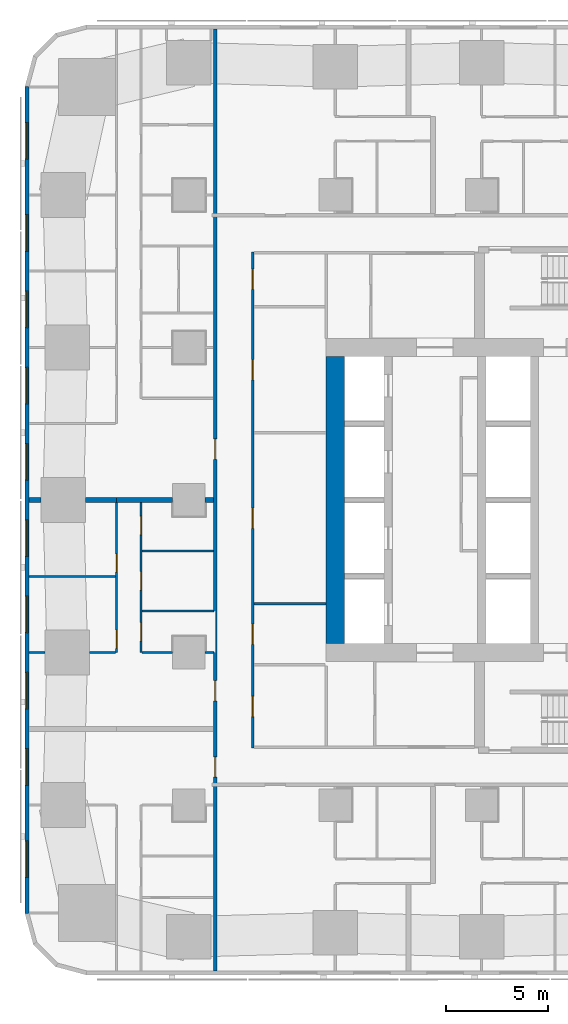
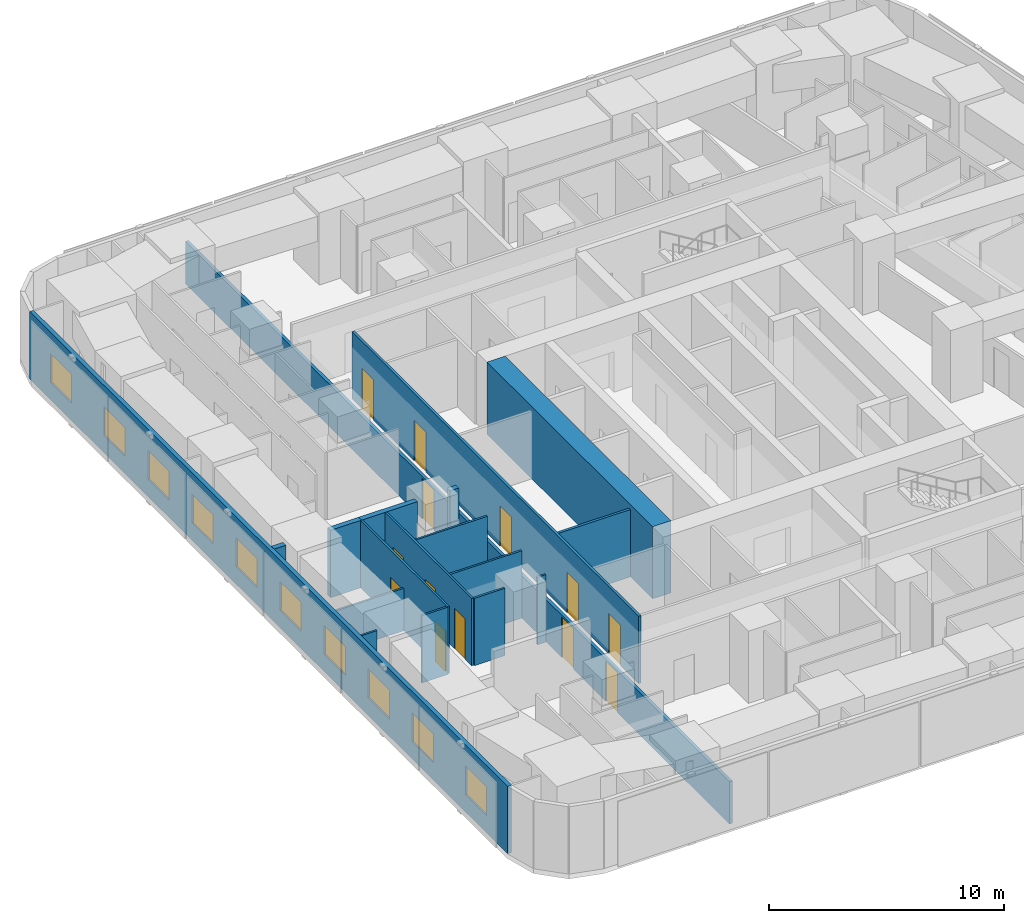
# One storey, part 5 of 17: 18 walls, 13 doors, 10 windows, 23 openings.
"""IFC4 building model written with IfcOpenShell, lengths in metres."""

from ifc_helpers import new_model, si_unit, direction, frame, frame_2d, origin, place, context, subcontext, project, spatial, rectangle, extrude, material, layer, layer_set, type_object, element, fill, save


model = new_model("IFC4")

# Units and contexts
model_context = context("Model", 3, precision=1e-05, world=origin(), true_north=direction((0.0, 1.0)))
body_context = subcontext(model_context, "Body", "Model", "MODEL_VIEW")
ifc_project = project(units=[si_unit("LENGTHUNIT", "METRE"), si_unit("AREAUNIT", "SQUARE_METRE"), si_unit("VOLUMEUNIT", "CUBIC_METRE"), si_unit("PLANEANGLEUNIT", "RADIAN"), si_unit("MASSUNIT", "GRAM", prefix="KILO")], contexts=[model_context])

# Site, building, storey
site_placement = place(None, origin())
site = spatial("IfcSite", under=ifc_project, at=site_placement, CompositionType="ELEMENT")
building_placement = place(site_placement, origin())
building = spatial("IfcBuilding", under=site, at=building_placement, Name="Sheger Commons Tower", CompositionType="ELEMENT")
storey_placement = place(building_placement, frame((0.0, 0.0, 119.14990234375)))
storey = spatial("IfcBuildingStorey", under=building, at=storey_placement, Name="L30", CompositionType="ELEMENT", Elevation=119.14990234375)

# Wall
ifc_material_1 = material(Name="Concrete C50/60", Category="concrete")
ifc_layer_1 = layer(ifc_material_1, 0.89990234375)
ifc_layer_set_1 = layer_set([ifc_layer_1], Name="CORE WALL 900")
wall_type_1 = type_object("IfcWallType", Name="CORE WALL 900", PredefinedType="SHEAR", material=ifc_layer_set_1)
wall_1_placement = place(storey_placement, frame((14.39990234375, 15.449951171875, 0.0), z_axis=(0.0, 0.0, 1.0), x_axis=(0.0, 1.0, 0.0)))
element("IfcWall", 1, at=wall_1_placement, inside=storey, type_object=wall_type_1, Name="Core wall west L30", PredefinedType="SHEAR", context=body_context, shape_type="SweptSolid", body=[
    extrude(rectangle(XDim=14.10009765625, YDim=0.89990234375, at=frame_2d((7.050048828125, 0.0))), origin(), (0.0, 0.0, 1.0), 3.75),
])

# Wall, openings, doors
ifc_material_2 = material(Name="Hollow concrete block masonry, skimmed both sides", Category="masonry")
ifc_layer_2 = layer(ifc_material_2, 0.14990234375)
ifc_layer_set_2 = layer_set([ifc_layer_2], Name="CORRIDOR WALL 150")
wall_type_2 = type_object("IfcWallType", Name="CORRIDOR WALL 150", PredefinedType="SOLIDWALL", material=ifc_layer_set_2)
wall_2_placement = place(storey_placement, frame((8.5, -0.64990234375, 0.0), z_axis=(0.0, 0.0, 1.0), x_axis=(0.0, 1.0, 0.0)))
wall_2 = element("IfcWall", 2, at=wall_2_placement, inside=storey, type_object=wall_type_2, Name="Corridor wall L30", PredefinedType="SOLIDWALL", context=body_context, shape_type="SweptSolid", body=[
    extrude(rectangle(XDim=46.2998046875, YDim=0.14990234375, at=frame_2d((23.14990234375, 0.0))), origin(), (0.0, 0.0, 1.0), 2.2001953125),
])
opening_1_placement = place(wall_2_placement, frame((9.52490234375, 0.0, 0.0)))
opening_1 = element("IfcOpeningElement", 3, at=opening_1_placement, cuts=wall_2, Name="Opening D1", PredefinedType="OPENING", context=body_context, shape_type="SweptSolid", body=[
    extrude(rectangle(XDim=1.0, YDim=2.10009765625, at=frame_2d((0.5, 1.050048828125))), frame((0.0, 0.0849609375, 0.0), z_axis=(0.0, -1.0, 0.0), x_axis=(1.0, 0.0, 0.0)), (0.0, 0.0, 1.0), 0.169921875),
])
opening_2_placement = place(wall_2_placement, frame((13.27490234375, 0.0, 0.0)))
opening_2 = element("IfcOpeningElement", 4, at=opening_2_placement, cuts=wall_2, Name="Opening D1", PredefinedType="OPENING", context=body_context, shape_type="SweptSolid", body=[
    extrude(rectangle(XDim=1.0, YDim=2.10009765625, at=frame_2d((0.5, 1.050048828125))), frame((0.0, 0.0849609375, 0.0), z_axis=(0.0, -1.0, 0.0), x_axis=(1.0, 0.0, 0.0)), (0.0, 0.0, 1.0), 0.169921875),
])
opening_3_placement = place(wall_2_placement, frame((25.14990234375, 0.0, 0.0)))
opening_3 = element("IfcOpeningElement", 5, at=opening_3_placement, cuts=wall_2, Name="Opening D1", PredefinedType="OPENING", context=body_context, shape_type="SweptSolid", body=[
    extrude(rectangle(XDim=1.0, YDim=2.10009765625, at=frame_2d((0.5, 1.050048828125))), frame((0.0, 0.0849609375, 0.0), z_axis=(0.0, -1.0, 0.0), x_axis=(1.0, 0.0, 0.0)), (0.0, 0.0, 1.0), 0.169921875),
])
ifc_material_3 = material(Name="Steel door set, fire rated", Category="steel")
door_type_1 = type_object("IfcDoorType", Name="FLAT ENTRANCE DOOR 1000x2100", OperationType="NOTDEFINED", PredefinedType="DOOR", material=ifc_material_3)
door_1_placement = place(opening_1_placement, origin())
door_1 = element("IfcDoor", 6, at=door_1_placement, inside=storey, type_object=door_type_1, Name="Flat entrance door", OperationType="SINGLE_SWING_RIGHT", OverallHeight=2.10009765625, OverallWidth=1.0, PredefinedType="DOOR", context=body_context, shape_type="SweptSolid", body=[
    extrude(rectangle(XDim=1.0, YDim=2.10009765625, at=frame_2d((0.5, 1.050048828125))), frame((0.0, 0.02490234375, 0.0), z_axis=(0.0, -1.0, 0.0), x_axis=(1.0, 0.0, 0.0)), (0.0, 0.0, 1.0), 0.050048828125),
])
fill(opening_1, door_1)
door_2_placement = place(opening_2_placement, origin())
door_2 = element("IfcDoor", 7, at=door_2_placement, inside=storey, type_object=door_type_1, Name="Flat entrance door", OperationType="SINGLE_SWING_LEFT", OverallHeight=2.10009765625, OverallWidth=1.0, PredefinedType="DOOR", context=body_context, shape_type="SweptSolid", body=[
    extrude(rectangle(XDim=1.0, YDim=2.10009765625, at=frame_2d((0.5, 1.050048828125))), frame((0.0, 0.02490234375, 0.0), z_axis=(0.0, -1.0, 0.0), x_axis=(1.0, 0.0, 0.0)), (0.0, 0.0, 1.0), 0.050048828125),
])
fill(opening_2, door_2)
door_3_placement = place(opening_3_placement, origin())
door_3 = element("IfcDoor", 8, at=door_3_placement, inside=storey, type_object=door_type_1, Name="Flat entrance door", OperationType="SINGLE_SWING_LEFT", OverallHeight=2.10009765625, OverallWidth=1.0, PredefinedType="DOOR", context=body_context, shape_type="SweptSolid", body=[
    extrude(rectangle(XDim=1.0, YDim=2.10009765625, at=frame_2d((0.5, 1.050048828125))), frame((0.0, 0.02490234375, 0.0), z_axis=(0.0, -1.0, 0.0), x_axis=(1.0, 0.0, 0.0)), (0.0, 0.0, 1.0), 0.050048828125),
])
fill(opening_3, door_3)

# Walls
ifc_material_4 = material(Name="Dense concrete block masonry, plastered both sides (separating wall between flats)", Category="masonry")
ifc_layer_3 = layer(ifc_material_4, 0.25)
ifc_layer_set_3 = layer_set([ifc_layer_3], Name="DEMISING WALL 250")
wall_type_3 = type_object("IfcWallType", Name="DEMISING WALL 250", PredefinedType="SOLIDWALL", material=ifc_layer_set_3)
wall_3_placement = place(storey_placement, frame((-0.64990234375, 22.5, 0.0), z_axis=(0.0, 0.0, 1.0), x_axis=(1.0, 0.0, 0.0)))
element("IfcWall", 9, at=wall_3_placement, inside=storey, type_object=wall_type_3, Name="Demising wall L30", PredefinedType="SOLIDWALL", context=body_context, shape_type="SweptSolid", body=[
    extrude(rectangle(XDim=0.573974609375, YDim=0.25, at=frame_2d((0.287109375, 0.0))), origin(), (0.0, 0.0, 1.0), 3.5),
])
wall_4_placement = place(storey_placement, frame((2.1259765625, 22.5, 0.0), z_axis=(0.0, 0.0, 1.0), x_axis=(1.0, 0.0, 0.0)))
element("IfcWall", 10, at=wall_4_placement, inside=storey, type_object=wall_type_3, Name="Demising wall L30", PredefinedType="SOLIDWALL", context=body_context, shape_type="SweptSolid", body=[
    extrude(rectangle(XDim=1.52392578125, YDim=0.25, at=frame_2d((0.761962890625, 0.0))), origin(), (0.0, 0.0, 1.0), 3.5),
])
wall_5_placement = place(storey_placement, frame((3.64990234375, 22.5, 0.0), z_axis=(0.0, 0.0, 1.0), x_axis=(1.0, 0.0, 0.0)))
element("IfcWall", 11, at=wall_5_placement, inside=storey, type_object=wall_type_3, Name="Demising wall L30", PredefinedType="SOLIDWALL", context=body_context, shape_type="SweptSolid", body=[
    extrude(rectangle(XDim=2.7490234375, YDim=0.25, at=frame_2d((1.37451171875, 0.0))), origin(), (0.0, 0.0, 1.0), 3.5),
])
wall_6_placement = place(storey_placement, frame((8.0009765625, 22.5, 0.0), z_axis=(0.0, 0.0, 1.0), x_axis=(1.0, 0.0, 0.0)))
element("IfcWall", 12, at=wall_6_placement, inside=storey, type_object=wall_type_3, Name="Demising wall L30", PredefinedType="SOLIDWALL", context=body_context, shape_type="SweptSolid", body=[
    extrude(rectangle(XDim=0.424072265625, YDim=0.25, at=frame_2d((0.2119140625, 0.0))), origin(), (0.0, 0.0, 1.0), 3.5),
])

# Wall, openings, windows
ifc_material_5 = material(Name="Rendered concrete block masonry, dark grey", Category="masonry")
ifc_layer_4 = layer(ifc_material_5, 0.199951171875)
ifc_layer_set_4 = layer_set([ifc_layer_4], Name="FACADE WALL 200")
wall_type_4 = type_object("IfcWallType", Name="FACADE WALL 200", PredefinedType="SOLIDWALL", material=ifc_layer_set_4)
wall_7_placement = place(storey_placement, frame((-0.75, 42.8369140625, 0.0), z_axis=(0.0, 0.0, 1.0), x_axis=(0.0, -1.0, 0.0)))
wall_7 = element("IfcWall", 13, at=wall_7_placement, inside=storey, type_object=wall_type_4, Name="Facade wall L30", PredefinedType="SOLIDWALL", context=body_context, shape_type="SweptSolid", body=[
    extrude(rectangle(XDim=40.673828125, YDim=0.199951171875, at=frame_2d((20.3369140625, 0.0))), origin(), (0.0, 0.0, 1.0), 3.5),
])
opening_4_placement = place(wall_7_placement, frame((1.780029296875, 0.0, 0.89990234375)))
opening_4 = element("IfcOpeningElement", 14, at=opening_4_placement, cuts=wall_7, Name="Opening W2", PredefinedType="OPENING", context=body_context, shape_type="SweptSolid", body=[
    extrude(rectangle(XDim=1.800048828125, YDim=1.5, at=frame_2d((0.89990234375, 0.75))), frame((0.0, 0.10986328125, 0.0), z_axis=(0.0, -1.0, 0.0), x_axis=(1.0, 0.0, 0.0)), (0.0, 0.0, 1.0), 0.219970703125),
])
opening_5_placement = place(wall_7_placement, frame((6.31201171875, 0.0, 0.89990234375)))
opening_5 = element("IfcOpeningElement", 15, at=opening_5_placement, cuts=wall_7, Name="Opening W2", PredefinedType="OPENING", context=body_context, shape_type="SweptSolid", body=[
    extrude(rectangle(XDim=1.800048828125, YDim=1.5, at=frame_2d((0.89990234375, 0.75))), frame((0.0, 0.10986328125, 0.0), z_axis=(0.0, -1.0, 0.0), x_axis=(1.0, 0.0, 0.0)), (0.0, 0.0, 1.0), 0.219970703125),
])
opening_6_placement = place(wall_7_placement, frame((10.06201171875, 0.0, 0.89990234375)))
opening_6 = element("IfcOpeningElement", 16, at=opening_6_placement, cuts=wall_7, Name="Opening W2", PredefinedType="OPENING", context=body_context, shape_type="SweptSolid", body=[
    extrude(rectangle(XDim=1.800048828125, YDim=1.5, at=frame_2d((0.89990234375, 0.75))), frame((0.0, 0.10986328125, 0.0), z_axis=(0.0, -1.0, 0.0), x_axis=(1.0, 0.0, 0.0)), (0.0, 0.0, 1.0), 0.219970703125),
])
opening_7_placement = place(wall_7_placement, frame((13.81201171875, 0.0, 0.89990234375)))
opening_7 = element("IfcOpeningElement", 17, at=opening_7_placement, cuts=wall_7, Name="Opening W2", PredefinedType="OPENING", context=body_context, shape_type="SweptSolid", body=[
    extrude(rectangle(XDim=1.800048828125, YDim=1.5, at=frame_2d((0.89990234375, 0.75))), frame((0.0, 0.10986328125, 0.0), z_axis=(0.0, -1.0, 0.0), x_axis=(1.0, 0.0, 0.0)), (0.0, 0.0, 1.0), 0.219970703125),
])
opening_8_placement = place(wall_7_placement, frame((17.56201171875, 0.0, 0.89990234375)))
opening_8 = element("IfcOpeningElement", 18, at=opening_8_placement, cuts=wall_7, Name="Opening W2", PredefinedType="OPENING", context=body_context, shape_type="SweptSolid", body=[
    extrude(rectangle(XDim=1.800048828125, YDim=1.5, at=frame_2d((0.89990234375, 0.75))), frame((0.0, 0.10986328125, 0.0), z_axis=(0.0, -1.0, 0.0), x_axis=(1.0, 0.0, 0.0)), (0.0, 0.0, 1.0), 0.219970703125),
])
opening_9_placement = place(wall_7_placement, frame((21.31201171875, 0.0, 0.89990234375)))
opening_9 = element("IfcOpeningElement", 19, at=opening_9_placement, cuts=wall_7, Name="Opening W2", PredefinedType="OPENING", context=body_context, shape_type="SweptSolid", body=[
    extrude(rectangle(XDim=1.800048828125, YDim=1.5, at=frame_2d((0.89990234375, 0.75))), frame((0.0, 0.10986328125, 0.0), z_axis=(0.0, -1.0, 0.0), x_axis=(1.0, 0.0, 0.0)), (0.0, 0.0, 1.0), 0.219970703125),
])
opening_10_placement = place(wall_7_placement, frame((25.06201171875, 0.0, 0.89990234375)))
opening_10 = element("IfcOpeningElement", 20, at=opening_10_placement, cuts=wall_7, Name="Opening W2", PredefinedType="OPENING", context=body_context, shape_type="SweptSolid", body=[
    extrude(rectangle(XDim=1.800048828125, YDim=1.5, at=frame_2d((0.89990234375, 0.75))), frame((0.0, 0.10986328125, 0.0), z_axis=(0.0, -1.0, 0.0), x_axis=(1.0, 0.0, 0.0)), (0.0, 0.0, 1.0), 0.219970703125),
])
opening_11_placement = place(wall_7_placement, frame((28.81201171875, 0.0, 0.89990234375)))
opening_11 = element("IfcOpeningElement", 21, at=opening_11_placement, cuts=wall_7, Name="Opening W2", PredefinedType="OPENING", context=body_context, shape_type="SweptSolid", body=[
    extrude(rectangle(XDim=1.800048828125, YDim=1.5, at=frame_2d((0.89990234375, 0.75))), frame((0.0, 0.10986328125, 0.0), z_axis=(0.0, -1.0, 0.0), x_axis=(1.0, 0.0, 0.0)), (0.0, 0.0, 1.0), 0.219970703125),
])
opening_12_placement = place(wall_7_placement, frame((32.56201171875, 0.0, 0.89990234375)))
opening_12 = element("IfcOpeningElement", 22, at=opening_12_placement, cuts=wall_7, Name="Opening W2", PredefinedType="OPENING", context=body_context, shape_type="SweptSolid", body=[
    extrude(rectangle(XDim=1.800048828125, YDim=1.5, at=frame_2d((0.89990234375, 0.75))), frame((0.0, 0.10986328125, 0.0), z_axis=(0.0, -1.0, 0.0), x_axis=(1.0, 0.0, 0.0)), (0.0, 0.0, 1.0), 0.219970703125),
])
opening_13_placement = place(wall_7_placement, frame((37.093994140625, 0.0, 0.89990234375)))
opening_13 = element("IfcOpeningElement", 23, at=opening_13_placement, cuts=wall_7, Name="Opening W2", PredefinedType="OPENING", context=body_context, shape_type="SweptSolid", body=[
    extrude(rectangle(XDim=1.800048828125, YDim=1.5, at=frame_2d((0.89990234375, 0.75))), frame((0.0, 0.10986328125, 0.0), z_axis=(0.0, -1.0, 0.0), x_axis=(1.0, 0.0, 0.0)), (0.0, 0.0, 1.0), 0.219970703125),
])
ifc_material_6 = material(Name="Black aluminium frame, dark tinted double glazing", Category="aluminium")
window_type = type_object("IfcWindowType", Name="WINDOW W2 1800x1500", PartitioningType="SINGLE_PANEL", PredefinedType="WINDOW", material=ifc_material_6)
window_1_placement = place(opening_4_placement, origin())
window_1 = element("IfcWindow", 24, at=window_1_placement, inside=storey, type_object=window_type, Name="Window W2 1800X1500", OverallHeight=1.5, OverallWidth=1.800048828125, PartitioningType="SINGLE_PANEL", PredefinedType="WINDOW", context=body_context, shape_type="SweptSolid", body=[
    extrude(rectangle(XDim=1.800048828125, YDim=1.5, at=frame_2d((0.89990234375, 0.75))), frame((0.0, 0.030029296875, 0.0), z_axis=(0.0, -1.0, 0.0), x_axis=(1.0, 0.0, 0.0)), (0.0, 0.0, 1.0), 0.06005859375),
])
fill(opening_4, window_1)
window_2_placement = place(opening_5_placement, origin())
window_2 = element("IfcWindow", 25, at=window_2_placement, inside=storey, type_object=window_type, Name="Window W2 1800X1500", OverallHeight=1.5, OverallWidth=1.800048828125, PartitioningType="SINGLE_PANEL", PredefinedType="WINDOW", context=body_context, shape_type="SweptSolid", body=[
    extrude(rectangle(XDim=1.800048828125, YDim=1.5, at=frame_2d((0.89990234375, 0.75))), frame((0.0, 0.030029296875, 0.0), z_axis=(0.0, -1.0, 0.0), x_axis=(1.0, 0.0, 0.0)), (0.0, 0.0, 1.0), 0.06005859375),
])
fill(opening_5, window_2)
window_3_placement = place(opening_6_placement, origin())
window_3 = element("IfcWindow", 26, at=window_3_placement, inside=storey, type_object=window_type, Name="Window W2 1800X1500", OverallHeight=1.5, OverallWidth=1.800048828125, PartitioningType="SINGLE_PANEL", PredefinedType="WINDOW", context=body_context, shape_type="SweptSolid", body=[
    extrude(rectangle(XDim=1.800048828125, YDim=1.5, at=frame_2d((0.89990234375, 0.75))), frame((0.0, 0.030029296875, 0.0), z_axis=(0.0, -1.0, 0.0), x_axis=(1.0, 0.0, 0.0)), (0.0, 0.0, 1.0), 0.06005859375),
])
fill(opening_6, window_3)
window_4_placement = place(opening_7_placement, origin())
window_4 = element("IfcWindow", 27, at=window_4_placement, inside=storey, type_object=window_type, Name="Window W2 1800X1500", OverallHeight=1.5, OverallWidth=1.800048828125, PartitioningType="SINGLE_PANEL", PredefinedType="WINDOW", context=body_context, shape_type="SweptSolid", body=[
    extrude(rectangle(XDim=1.800048828125, YDim=1.5, at=frame_2d((0.89990234375, 0.75))), frame((0.0, 0.030029296875, 0.0), z_axis=(0.0, -1.0, 0.0), x_axis=(1.0, 0.0, 0.0)), (0.0, 0.0, 1.0), 0.06005859375),
])
fill(opening_7, window_4)
window_5_placement = place(opening_8_placement, origin())
window_5 = element("IfcWindow", 28, at=window_5_placement, inside=storey, type_object=window_type, Name="Window W2 1800X1500", OverallHeight=1.5, OverallWidth=1.800048828125, PartitioningType="SINGLE_PANEL", PredefinedType="WINDOW", context=body_context, shape_type="SweptSolid", body=[
    extrude(rectangle(XDim=1.800048828125, YDim=1.5, at=frame_2d((0.89990234375, 0.75))), frame((0.0, 0.030029296875, 0.0), z_axis=(0.0, -1.0, 0.0), x_axis=(1.0, 0.0, 0.0)), (0.0, 0.0, 1.0), 0.06005859375),
])
fill(opening_8, window_5)
window_6_placement = place(opening_9_placement, origin())
window_6 = element("IfcWindow", 29, at=window_6_placement, inside=storey, type_object=window_type, Name="Window W2 1800X1500", OverallHeight=1.5, OverallWidth=1.800048828125, PartitioningType="SINGLE_PANEL", PredefinedType="WINDOW", context=body_context, shape_type="SweptSolid", body=[
    extrude(rectangle(XDim=1.800048828125, YDim=1.5, at=frame_2d((0.89990234375, 0.75))), frame((0.0, 0.030029296875, 0.0), z_axis=(0.0, -1.0, 0.0), x_axis=(1.0, 0.0, 0.0)), (0.0, 0.0, 1.0), 0.06005859375),
])
fill(opening_9, window_6)
window_7_placement = place(opening_10_placement, origin())
window_7 = element("IfcWindow", 30, at=window_7_placement, inside=storey, type_object=window_type, Name="Window W2 1800X1500", OverallHeight=1.5, OverallWidth=1.800048828125, PartitioningType="SINGLE_PANEL", PredefinedType="WINDOW", context=body_context, shape_type="SweptSolid", body=[
    extrude(rectangle(XDim=1.800048828125, YDim=1.5, at=frame_2d((0.89990234375, 0.75))), frame((0.0, 0.030029296875, 0.0), z_axis=(0.0, -1.0, 0.0), x_axis=(1.0, 0.0, 0.0)), (0.0, 0.0, 1.0), 0.06005859375),
])
fill(opening_10, window_7)
window_8_placement = place(opening_11_placement, origin())
window_8 = element("IfcWindow", 31, at=window_8_placement, inside=storey, type_object=window_type, Name="Window W2 1800X1500", OverallHeight=1.5, OverallWidth=1.800048828125, PartitioningType="SINGLE_PANEL", PredefinedType="WINDOW", context=body_context, shape_type="SweptSolid", body=[
    extrude(rectangle(XDim=1.800048828125, YDim=1.5, at=frame_2d((0.89990234375, 0.75))), frame((0.0, 0.030029296875, 0.0), z_axis=(0.0, -1.0, 0.0), x_axis=(1.0, 0.0, 0.0)), (0.0, 0.0, 1.0), 0.06005859375),
])
fill(opening_11, window_8)
window_9_placement = place(opening_12_placement, origin())
window_9 = element("IfcWindow", 32, at=window_9_placement, inside=storey, type_object=window_type, Name="Window W2 1800X1500", OverallHeight=1.5, OverallWidth=1.800048828125, PartitioningType="SINGLE_PANEL", PredefinedType="WINDOW", context=body_context, shape_type="SweptSolid", body=[
    extrude(rectangle(XDim=1.800048828125, YDim=1.5, at=frame_2d((0.89990234375, 0.75))), frame((0.0, 0.030029296875, 0.0), z_axis=(0.0, -1.0, 0.0), x_axis=(1.0, 0.0, 0.0)), (0.0, 0.0, 1.0), 0.06005859375),
])
fill(opening_12, window_9)
window_10_placement = place(opening_13_placement, origin())
window_10 = element("IfcWindow", 33, at=window_10_placement, inside=storey, type_object=window_type, Name="Window W2 1800X1500", OverallHeight=1.5, OverallWidth=1.800048828125, PartitioningType="SINGLE_PANEL", PredefinedType="WINDOW", context=body_context, shape_type="SweptSolid", body=[
    extrude(rectangle(XDim=1.800048828125, YDim=1.5, at=frame_2d((0.89990234375, 0.75))), frame((0.0, 0.030029296875, 0.0), z_axis=(0.0, -1.0, 0.0), x_axis=(1.0, 0.0, 0.0)), (0.0, 0.0, 1.0), 0.06005859375),
])
fill(opening_13, window_10)

# Wall, openings, doors
ifc_material_7 = material(Name="Gypsum board on steel studs", Category="steel")
ifc_layer_5 = layer(ifc_material_7, 0.10009765625)
ifc_layer_set_5 = layer_set([ifc_layer_5], Name="PARTITION 100")
wall_type_5 = type_object("IfcWallType", Name="PARTITION 100", PredefinedType="PARTITIONING", material=ifc_layer_set_5)
wall_8_placement = place(storey_placement, frame((3.64990234375, 15.0, 0.0), z_axis=(0.0, 0.0, 1.0), x_axis=(0.0, 1.0, 0.0)))
wall_8 = element("IfcWall", 34, at=wall_8_placement, inside=storey, type_object=wall_type_5, Name="Partition L30", PredefinedType="PARTITIONING", context=body_context, shape_type="SweptSolid", body=[
    extrude(rectangle(XDim=7.375, YDim=0.10009765625, at=frame_2d((3.6875, 0.0))), origin(), (0.0, 0.0, 1.0), 3.5),
])
opening_14_placement = place(wall_8_placement, frame((0.199951171875, 0.0, 0.0)))
opening_14 = element("IfcOpeningElement", 35, at=opening_14_placement, cuts=wall_8, Name="Opening D2", PredefinedType="OPENING", context=body_context, shape_type="SweptSolid", body=[
    extrude(rectangle(XDim=0.89990234375, YDim=2.10009765625, at=frame_2d((0.449951171875, 1.050048828125))), frame((0.0, 0.06005859375, 0.0), z_axis=(0.0, -1.0, 0.0), x_axis=(1.0, 0.0, 0.0)), (0.0, 0.0, 1.0), 0.1201171875),
])
opening_15_placement = place(wall_8_placement, frame((3.949951171875, 0.0, 0.0)))
opening_15 = element("IfcOpeningElement", 36, at=opening_15_placement, cuts=wall_8, Name="Opening D2", PredefinedType="OPENING", context=body_context, shape_type="SweptSolid", body=[
    extrude(rectangle(XDim=0.89990234375, YDim=2.10009765625, at=frame_2d((0.449951171875, 1.050048828125))), frame((0.0, 0.06005859375, 0.0), z_axis=(0.0, -1.0, 0.0), x_axis=(1.0, 0.0, 0.0)), (0.0, 0.0, 1.0), 0.1201171875),
])
ifc_material_8 = material(Name="Timber door set", Category="wood")
door_type_2 = type_object("IfcDoorType", Name="INTERNAL DOOR 900x2100", OperationType="NOTDEFINED", PredefinedType="DOOR", material=ifc_material_8)
door_4_placement = place(opening_14_placement, origin())
door_4 = element("IfcDoor", 37, at=door_4_placement, inside=storey, type_object=door_type_2, Name="Main bedroom door", OperationType="SINGLE_SWING_LEFT", OverallHeight=2.10009765625, OverallWidth=0.89990234375, PredefinedType="DOOR", context=body_context, shape_type="SweptSolid", body=[
    extrude(rectangle(XDim=0.89990234375, YDim=2.10009765625, at=frame_2d((0.449951171875, 1.050048828125))), frame((0.0, 0.02490234375, 0.0), z_axis=(0.0, -1.0, 0.0), x_axis=(1.0, 0.0, 0.0)), (0.0, 0.0, 1.0), 0.050048828125),
])
fill(opening_14, door_4)
door_5_placement = place(opening_15_placement, origin())
door_5 = element("IfcDoor", 38, at=door_5_placement, inside=storey, type_object=door_type_2, Name="Bedroom 2 door", OperationType="SINGLE_SWING_LEFT", OverallHeight=2.10009765625, OverallWidth=0.89990234375, PredefinedType="DOOR", context=body_context, shape_type="SweptSolid", body=[
    extrude(rectangle(XDim=0.89990234375, YDim=2.10009765625, at=frame_2d((0.449951171875, 1.050048828125))), frame((0.0, 0.02490234375, 0.0), z_axis=(0.0, -1.0, 0.0), x_axis=(1.0, 0.0, 0.0)), (0.0, 0.0, 1.0), 0.050048828125),
])
fill(opening_15, door_5)

wall_9_placement = place(storey_placement, frame((4.85009765625, 15.0, 0.0), z_axis=(0.0, 0.0, 1.0), x_axis=(0.0, 1.0, 0.0)))
wall_9 = element("IfcWall", 39, at=wall_9_placement, inside=storey, type_object=wall_type_5, Name="Partition L30", PredefinedType="PARTITIONING", context=body_context, shape_type="SweptSolid", body=[
    extrude(rectangle(XDim=7.375, YDim=0.10009765625, at=frame_2d((3.6875, 0.0))), origin(), (0.0, 0.0, 1.0), 3.5),
])
opening_16_placement = place(wall_9_placement, frame((0.574951171875, 0.0, 0.0)))
opening_16 = element("IfcOpeningElement", 40, at=opening_16_placement, cuts=wall_9, Name="Opening D2", PredefinedType="OPENING", context=body_context, shape_type="SweptSolid", body=[
    extrude(rectangle(XDim=0.89990234375, YDim=2.10009765625, at=frame_2d((0.449951171875, 1.050048828125))), frame((0.0, 0.06005859375, 0.0), z_axis=(0.0, -1.0, 0.0), x_axis=(1.0, 0.0, 0.0)), (0.0, 0.0, 1.0), 0.1201171875),
])
opening_17_placement = place(wall_9_placement, frame((5.799072265625, 0.0, 0.0)))
opening_17 = element("IfcOpeningElement", 41, at=opening_17_placement, cuts=wall_9, Name="Opening D2", PredefinedType="OPENING", context=body_context, shape_type="SweptSolid", body=[
    extrude(rectangle(XDim=0.89990234375, YDim=2.10009765625, at=frame_2d((0.449951171875, 1.050048828125))), frame((0.0, 0.06005859375, 0.0), z_axis=(0.0, -1.0, 0.0), x_axis=(1.0, 0.0, 0.0)), (0.0, 0.0, 1.0), 0.1201171875),
])
opening_18_placement = place(wall_9_placement, frame((3.073974609375, 0.0, 0.0)))
opening_18 = element("IfcOpeningElement", 42, at=opening_18_placement, cuts=wall_9, Name="Opening D2", PredefinedType="OPENING", context=body_context, shape_type="SweptSolid", body=[
    extrude(rectangle(XDim=0.89990234375, YDim=2.10009765625, at=frame_2d((0.449951171875, 1.050048828125))), frame((0.0, 0.06005859375, 0.0), z_axis=(0.0, -1.0, 0.0), x_axis=(1.0, 0.0, 0.0)), (0.0, 0.0, 1.0), 0.1201171875),
])
door_6_placement = place(opening_16_placement, origin())
door_6 = element("IfcDoor", 43, at=door_6_placement, inside=storey, type_object=door_type_2, Name="Bathroom door", OperationType="SINGLE_SWING_RIGHT", OverallHeight=2.10009765625, OverallWidth=0.89990234375, PredefinedType="DOOR", context=body_context, shape_type="SweptSolid", body=[
    extrude(rectangle(XDim=0.89990234375, YDim=2.10009765625, at=frame_2d((0.449951171875, 1.050048828125))), frame((0.0, 0.02490234375, 0.0), z_axis=(0.0, -1.0, 0.0), x_axis=(1.0, 0.0, 0.0)), (0.0, 0.0, 1.0), 0.050048828125),
])
fill(opening_16, door_6)
door_7_placement = place(opening_17_placement, origin())
door_7 = element("IfcDoor", 44, at=door_7_placement, inside=storey, type_object=door_type_2, Name="Store and laundry door", OperationType="SINGLE_SWING_LEFT", OverallHeight=2.10009765625, OverallWidth=0.89990234375, PredefinedType="DOOR", context=body_context, shape_type="SweptSolid", body=[
    extrude(rectangle(XDim=0.89990234375, YDim=2.10009765625, at=frame_2d((0.449951171875, 1.050048828125))), frame((0.0, 0.02490234375, 0.0), z_axis=(0.0, -1.0, 0.0), x_axis=(1.0, 0.0, 0.0)), (0.0, 0.0, 1.0), 0.050048828125),
])
fill(opening_17, door_7)
door_8_placement = place(opening_18_placement, origin())
door_8 = element("IfcDoor", 45, at=door_8_placement, inside=storey, type_object=door_type_2, Name="Store door", OperationType="SINGLE_SWING_RIGHT", OverallHeight=2.10009765625, OverallWidth=0.89990234375, PredefinedType="DOOR", context=body_context, shape_type="SweptSolid", body=[
    extrude(rectangle(XDim=0.89990234375, YDim=2.10009765625, at=frame_2d((0.449951171875, 1.050048828125))), frame((0.0, 0.02490234375, 0.0), z_axis=(0.0, -1.0, 0.0), x_axis=(1.0, 0.0, 0.0)), (0.0, 0.0, 1.0), 0.050048828125),
])
fill(opening_18, door_8)

# Walls
wall_10_placement = place(storey_placement, frame((-0.64990234375, 15.0, 0.0), z_axis=(0.0, 0.0, 1.0), x_axis=(1.0, 0.0, 0.0)))
element("IfcWall", 46, at=wall_10_placement, inside=storey, type_object=wall_type_5, Name="Partition L30", PredefinedType="PARTITIONING", context=body_context, shape_type="SweptSolid", body=[
    extrude(rectangle(XDim=0.77392578125, YDim=0.10009765625, at=frame_2d((0.386962890625, 0.0))), origin(), (0.0, 0.0, 1.0), 3.5),
])
wall_11_placement = place(storey_placement, frame((2.325927734375, 15.0, 0.0), z_axis=(0.0, 0.0, 1.0), x_axis=(1.0, 0.0, 0.0)))
element("IfcWall", 47, at=wall_11_placement, inside=storey, type_object=wall_type_5, Name="Partition L30", PredefinedType="PARTITIONING", context=body_context, shape_type="SweptSolid", body=[
    extrude(rectangle(XDim=1.274169921875, YDim=0.10009765625, at=frame_2d((0.63720703125, 0.0))), origin(), (0.0, 0.0, 1.0), 3.5),
])
wall_12_placement = place(storey_placement, frame((-0.64990234375, 18.75, 0.0), z_axis=(0.0, 0.0, 1.0), x_axis=(1.0, 0.0, 0.0)))
element("IfcWall", 48, at=wall_12_placement, inside=storey, type_object=wall_type_5, Name="Partition L30", PredefinedType="PARTITIONING", context=body_context, shape_type="SweptSolid", body=[
    extrude(rectangle(XDim=4.25, YDim=0.10009765625, at=frame_2d((2.125, 0.0))), origin(), (0.0, 0.0, 1.0), 2.2001953125),
])
wall_13_placement = place(storey_placement, frame((4.89990234375, 15.0, 0.0), z_axis=(0.0, 0.0, 1.0), x_axis=(1.0, 0.0, 0.0)))
element("IfcWall", 49, at=wall_13_placement, inside=storey, type_object=wall_type_5, Name="Partition L30", PredefinedType="PARTITIONING", context=body_context, shape_type="SweptSolid", body=[
    extrude(rectangle(XDim=1.4990234375, YDim=0.10009765625, at=frame_2d((0.74951171875, 0.0))), origin(), (0.0, 0.0, 1.0), 3.5),
])
wall_14_placement = place(storey_placement, frame((8.0009765625, 15.0, 0.0), z_axis=(0.0, 0.0, 1.0), x_axis=(1.0, 0.0, 0.0)))
element("IfcWall", 50, at=wall_14_placement, inside=storey, type_object=wall_type_5, Name="Partition L30", PredefinedType="PARTITIONING", context=body_context, shape_type="SweptSolid", body=[
    extrude(rectangle(XDim=0.424072265625, YDim=0.10009765625, at=frame_2d((0.2119140625, 0.0))), origin(), (0.0, 0.0, 1.0), 3.5),
])
for number, where, z_axis, x_axis, name in (
    (51, (4.89990234375, 19.9990234375, 0.0), (0.0, 0.0, 1.0), (1.0, 0.0, 0.0), "Partition L30"),
    (52, (4.89990234375, 17.050048828125, 0.0), (0.0, 0.0, 1.0), (1.0, 0.0, 0.0), "Partition L30"),
):
    element("IfcWall", number, at=place(storey_placement, frame(where, z_axis=z_axis, x_axis=x_axis)), inside=storey, type_object=wall_type_5, Name=name, PredefinedType="PARTITIONING", context=body_context, shape_type="SweptSolid", body=[
        extrude(rectangle(XDim=3.525146484375, YDim=0.10009765625, at=frame_2d((1.7626953125, 0.0))), origin(), (0.0, 0.0, 1.0), 3.5),
    ])

# Wall, openings, doors
ifc_material_9 = material(Name="Gypsum board on steel studs, two layers each side, fire rated", Category="steel")
ifc_layer_6 = layer(ifc_material_9, 0.125)
ifc_layer_set_6 = layer_set([ifc_layer_6], Name="SERVICE WALL 125")
wall_type_6 = type_object("IfcWallType", Name="SERVICE WALL 125", PredefinedType="PARTITIONING", material=ifc_layer_set_6)
wall_15_placement = place(storey_placement, frame((10.35009765625, 10.300048828125, 0.0), z_axis=(0.0, 0.0, 1.0), x_axis=(0.0, 1.0, 0.0)))
wall_15 = element("IfcWall", 53, at=wall_15_placement, inside=storey, type_object=wall_type_6, Name="Service room wall L30", PredefinedType="PARTITIONING", context=body_context, shape_type="SweptSolid", body=[
    extrude(rectangle(XDim=24.39990234375, YDim=0.125, at=frame_2d((12.199951171875, 0.0))), origin(), (0.0, 0.0, 1.0), 3.5),
])
opening_19_placement = place(wall_15_placement, frame((1.550048828125, 0.0, 0.0)))
opening_19 = element("IfcOpeningElement", 54, at=opening_19_placement, cuts=wall_15, Name="Opening D4", PredefinedType="OPENING", context=body_context, shape_type="SweptSolid", body=[
    extrude(rectangle(XDim=1.0, YDim=2.10009765625, at=frame_2d((0.5, 1.050048828125))), frame((0.0, 0.072509765625, 0.0), z_axis=(0.0, -1.0, 0.0), x_axis=(1.0, 0.0, 0.0)), (0.0, 0.0, 1.0), 0.14501953125),
])
opening_20_placement = place(wall_15_placement, frame((5.10009765625, 0.0, 0.0)))
opening_20 = element("IfcOpeningElement", 55, at=opening_20_placement, cuts=wall_15, Name="Opening D4", PredefinedType="OPENING", context=body_context, shape_type="SweptSolid", body=[
    extrude(rectangle(XDim=1.0, YDim=2.10009765625, at=frame_2d((0.5, 1.050048828125))), frame((0.0, 0.072509765625, 0.0), z_axis=(0.0, -1.0, 0.0), x_axis=(1.0, 0.0, 0.0)), (0.0, 0.0, 1.0), 0.14501953125),
])
opening_21_placement = place(wall_15_placement, frame((10.800048828125, 0.0, 0.0)))
opening_21 = element("IfcOpeningElement", 56, at=opening_21_placement, cuts=wall_15, Name="Opening D4", PredefinedType="OPENING", context=body_context, shape_type="SweptSolid", body=[
    extrude(rectangle(XDim=1.0, YDim=2.10009765625, at=frame_2d((0.5, 1.050048828125))), frame((0.0, 0.072509765625, 0.0), z_axis=(0.0, -1.0, 0.0), x_axis=(1.0, 0.0, 0.0)), (0.0, 0.0, 1.0), 0.14501953125),
])
opening_22_placement = place(wall_15_placement, frame((18.10009765625, 0.0, 0.0)))
opening_22 = element("IfcOpeningElement", 57, at=opening_22_placement, cuts=wall_15, Name="Opening D4", PredefinedType="OPENING", context=body_context, shape_type="SweptSolid", body=[
    extrude(rectangle(XDim=1.0, YDim=2.10009765625, at=frame_2d((0.5, 1.050048828125))), frame((0.0, 0.072509765625, 0.0), z_axis=(0.0, -1.0, 0.0), x_axis=(1.0, 0.0, 0.0)), (0.0, 0.0, 1.0), 0.14501953125),
])
opening_23_placement = place(wall_15_placement, frame((22.550048828125, 0.0, 0.0)))
opening_23 = element("IfcOpeningElement", 58, at=opening_23_placement, cuts=wall_15, Name="Opening D4", PredefinedType="OPENING", context=body_context, shape_type="SweptSolid", body=[
    extrude(rectangle(XDim=1.0, YDim=2.10009765625, at=frame_2d((0.5, 1.050048828125))), frame((0.0, 0.072509765625, 0.0), z_axis=(0.0, -1.0, 0.0), x_axis=(1.0, 0.0, 0.0)), (0.0, 0.0, 1.0), 0.14501953125),
])
ifc_material_10 = material(Name="Steel door set, fire rated", Category="steel")
door_type_3 = type_object("IfcDoorType", Name="SERVICE DOOR 1000x2100", OperationType="NOTDEFINED", PredefinedType="DOOR", material=ifc_material_10)
door_9_placement = place(opening_19_placement, origin())
door_9 = element("IfcDoor", 59, at=door_9_placement, inside=storey, type_object=door_type_3, Name="Refuse chute room door", OperationType="SINGLE_SWING_RIGHT", OverallHeight=2.10009765625, OverallWidth=1.0, PredefinedType="DOOR", context=body_context, shape_type="SweptSolid", body=[
    extrude(rectangle(XDim=1.0, YDim=2.10009765625, at=frame_2d((0.5, 1.050048828125))), frame((0.0, 0.02490234375, 0.0), z_axis=(0.0, -1.0, 0.0), x_axis=(1.0, 0.0, 0.0)), (0.0, 0.0, 1.0), 0.050048828125),
])
fill(opening_19, door_9)
door_10_placement = place(opening_20_placement, origin())
door_10 = element("IfcDoor", 60, at=door_10_placement, inside=storey, type_object=door_type_3, Name="Recycling room door", OperationType="SINGLE_SWING_RIGHT", OverallHeight=2.10009765625, OverallWidth=1.0, PredefinedType="DOOR", context=body_context, shape_type="SweptSolid", body=[
    extrude(rectangle(XDim=1.0, YDim=2.10009765625, at=frame_2d((0.5, 1.050048828125))), frame((0.0, 0.02490234375, 0.0), z_axis=(0.0, -1.0, 0.0), x_axis=(1.0, 0.0, 0.0)), (0.0, 0.0, 1.0), 0.050048828125),
])
fill(opening_20, door_10)
door_11_placement = place(opening_21_placement, origin())
door_11 = element("IfcDoor", 61, at=door_11_placement, inside=storey, type_object=door_type_3, Name="Children's play room door", OperationType="SINGLE_SWING_RIGHT", OverallHeight=2.10009765625, OverallWidth=1.0, PredefinedType="DOOR", context=body_context, shape_type="SweptSolid", body=[
    extrude(rectangle(XDim=1.0, YDim=2.10009765625, at=frame_2d((0.5, 1.050048828125))), frame((0.0, 0.02490234375, 0.0), z_axis=(0.0, -1.0, 0.0), x_axis=(1.0, 0.0, 0.0)), (0.0, 0.0, 1.0), 0.050048828125),
])
fill(opening_21, door_11)
door_12_placement = place(opening_22_placement, origin())
door_12 = element("IfcDoor", 62, at=door_12_placement, inside=storey, type_object=door_type_3, Name="Laundry and drying room door", OperationType="SINGLE_SWING_RIGHT", OverallHeight=2.10009765625, OverallWidth=1.0, PredefinedType="DOOR", context=body_context, shape_type="SweptSolid", body=[
    extrude(rectangle(XDim=1.0, YDim=2.10009765625, at=frame_2d((0.5, 1.050048828125))), frame((0.0, 0.02490234375, 0.0), z_axis=(0.0, -1.0, 0.0), x_axis=(1.0, 0.0, 0.0)), (0.0, 0.0, 1.0), 0.050048828125),
])
fill(opening_22, door_12)
door_13_placement = place(opening_23_placement, origin())
door_13 = element("IfcDoor", 63, at=door_13_placement, inside=storey, type_object=door_type_3, Name="Cleaner's store door", OperationType="SINGLE_SWING_LEFT", OverallHeight=2.10009765625, OverallWidth=1.0, PredefinedType="DOOR", context=body_context, shape_type="SweptSolid", body=[
    extrude(rectangle(XDim=1.0, YDim=2.10009765625, at=frame_2d((0.5, 1.050048828125))), frame((0.0, 0.02490234375, 0.0), z_axis=(0.0, -1.0, 0.0), x_axis=(1.0, 0.0, 0.0)), (0.0, 0.0, 1.0), 0.050048828125),
])
fill(opening_23, door_13)

# Wall
wall_16_placement = place(storey_placement, frame((10.4130859375, 17.39990234375, 0.0), z_axis=(0.0, 0.0, 1.0), x_axis=(1.0, 0.0, 0.0)))
element("IfcWall", 64, at=wall_16_placement, inside=storey, type_object=wall_type_6, Name="Service room wall L30", PredefinedType="PARTITIONING", context=body_context, shape_type="SweptSolid", body=[
    extrude(rectangle(XDim=3.536865234375, YDim=0.125, at=frame_2d((1.7685546875, 0.0))), origin(), (0.0, 0.0, 1.0), 3.5),
])

save(model, "model.ifc")
